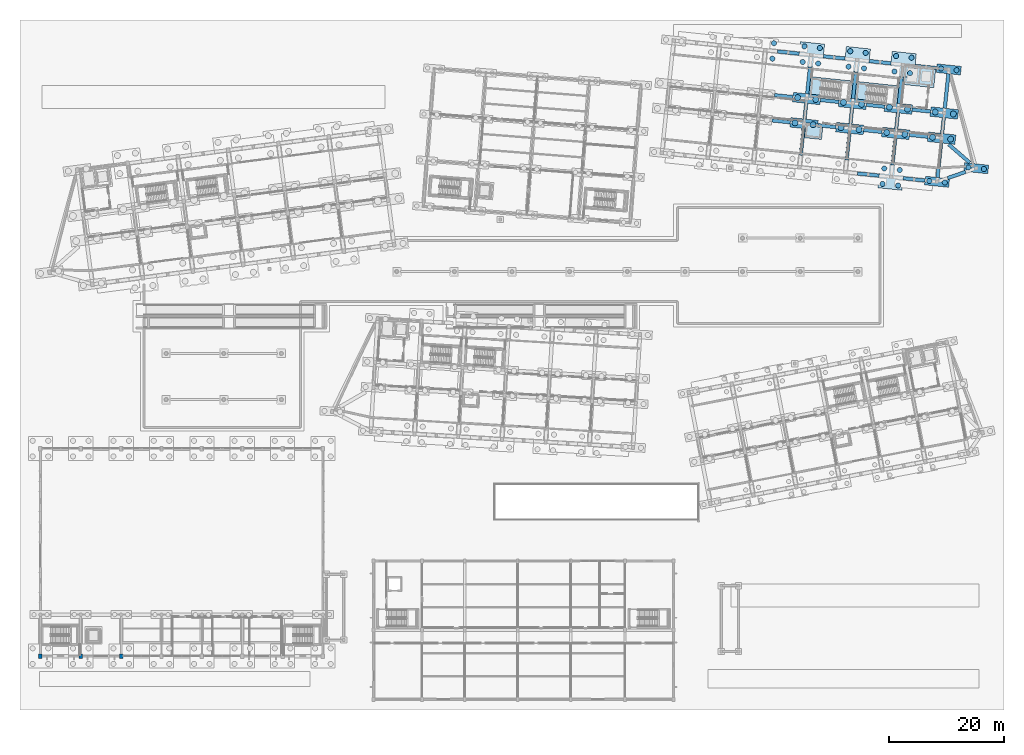
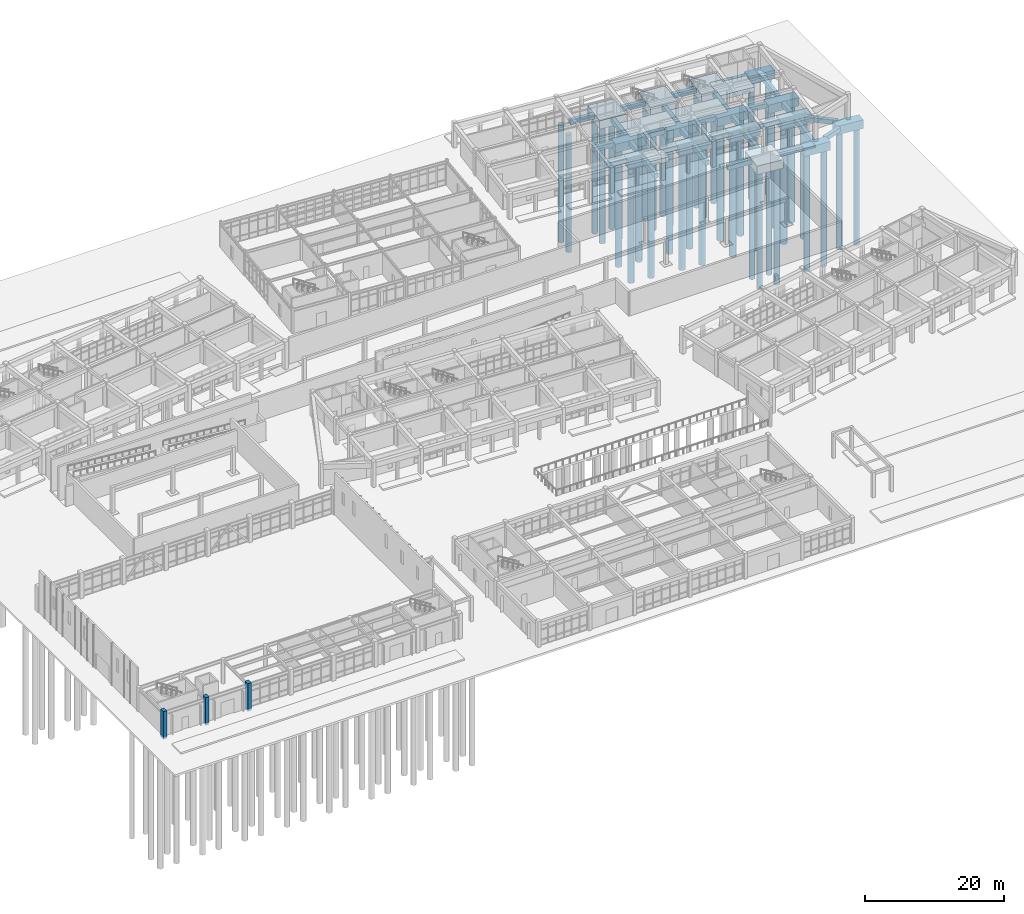
# One storey, part 6 of 154: 47 footings, 40 piles, 3 columns.
"""IFC4 building model written with IfcOpenShell, lengths in metres."""

from ifc_helpers import new_model, si_unit, direction, frame, origin, origin_2d, place, context, subcontext, project, spatial, rectangle, circle, extrude, material, material_profile, profile_set, type_object, element, save


model = new_model("IFC4")

# Units and contexts
model_context = context("Model", 3, precision=1e-05, world=origin(), true_north=direction((0.0, 1.0)))
body_context = subcontext(model_context, "Body", "Model", "MODEL_VIEW")
ifc_project = project(units=[si_unit("LENGTHUNIT", "METRE"), si_unit("AREAUNIT", "SQUARE_METRE"), si_unit("VOLUMEUNIT", "CUBIC_METRE"), si_unit("PLANEANGLEUNIT", "RADIAN"), si_unit("MASSUNIT", "GRAM", prefix="KILO")], contexts=[model_context])

# Site, building, storey
site_placement = place(None, origin())
site = spatial("IfcSite", under=ifc_project, at=site_placement, CompositionType="ELEMENT")
building_placement = place(site_placement, origin())
building = spatial("IfcBuilding", under=site, at=building_placement, Name="Kestramere Prow Commons", CompositionType="ELEMENT")
storey_placement = place(building_placement, origin())
storey = spatial("IfcBuildingStorey", under=building, at=storey_placement, Name="L00", CompositionType="ELEMENT", Elevation=0.0)

# Piles
ifc_material_1 = material(Name="Concrete C35/45", Category="concrete")
ifc_material_profile_1 = material_profile(ifc_material_1, circle(Radius=0.52490234375, at=origin_2d()), Name="BORED PILE D1050")
ifc_profile_set_1 = profile_set([ifc_material_profile_1], Name="Concrete C35/45")
pile_type_1 = type_object("IfcPileType", Name="BP-1050 BORED PILE D1050", PredefinedType="BORED", material=ifc_profile_set_1)
for number, where, z_axis, x_axis, name in (
    (1, (133.0966796875, 100.014404296875, -1.75), (0.0, 0.0, -1.0), (1.0, 0.0, 0.0), "Bored pile FC-B-3-1-P1"),
    (2, (136.229248046875, 99.68505859375, -1.75), (0.0, 0.0, -1.0), (1.0, 0.0, 0.0), "Bored pile FC-B-3-1-P2"),
    (3, (133.556396484375, 104.39013671875, -1.75), (0.0, 0.0, -1.0), (1.0, 0.0, 0.0), "Bored pile FC-B-3-2-P1"),
    (4, (136.689208984375, 104.06103515625, -1.75), (0.0, 0.0, -1.0), (1.0, 0.0, 0.0), "Bored pile FC-B-3-2-P2"),
    (5, (141.052734375, 99.177978515625, -1.75), (0.0, 0.0, -1.0), (1.0, 0.0, 0.0), "Bored pile FC-B-4-1-P1"),
    (6, (144.185546875, 98.848876953125, -1.75), (0.0, 0.0, -1.0), (1.0, 0.0, 0.0), "Bored pile FC-B-4-1-P2"),
    (7, (141.5126953125, 103.553955078125, -1.75), (0.0, 0.0, -1.0), (1.0, 0.0, 0.0), "Bored pile FC-B-4-2-P1"),
    (8, (144.6455078125, 103.224609375, -1.75), (0.0, 0.0, -1.0), (1.0, 0.0, 0.0), "Bored pile FC-B-4-2-P2"),
    (9, (149.009033203125, 98.341796875, -1.75), (0.0, 0.0, -1.0), (1.0, 0.0, 0.0), "Bored pile FC-B-5-1-P1"),
    (10, (152.1416015625, 98.0126953125, -1.75), (0.0, 0.0, -1.0), (1.0, 0.0, 0.0), "Bored pile FC-B-5-1-P2"),
    (11, (149.46875, 102.7177734375, -1.75), (0.0, 0.0, -1.0), (1.0, 0.0, 0.0), "Bored pile FC-B-5-2-P1"),
    (12, (152.6015625, 102.388427734375, -1.75), (0.0, 0.0, -1.0), (1.0, 0.0, 0.0), "Bored pile FC-B-5-2-P2"),
    (13, (156.965087890625, 97.505615234375, -1.75), (0.0, 0.0, -1.0), (1.0, 0.0, 0.0), "Bored pile FC-B-6-1-P1"),
    (14, (160.097900390625, 97.17626953125, -1.75), (0.0, 0.0, -1.0), (1.0, 0.0, 0.0), "Bored pile FC-B-6-1-P2"),
    (15, (157.425048828125, 101.881591796875, -1.75), (0.0, 0.0, -1.0), (1.0, 0.0, 0.0), "Bored pile FC-B-6-2-P1"),
    (16, (160.557861328125, 101.55224609375, -1.75), (0.0, 0.0, -1.0), (1.0, 0.0, 0.0), "Bored pile FC-B-6-2-P2"),
):
    element("IfcPile", number, at=place(storey_placement, frame(where, z_axis=z_axis, x_axis=x_axis)), inside=storey, type_object=pile_type_1, Name=name, PredefinedType="BORED", context=body_context, shape_type="SweptSolid", body=[
        extrude(circle(Radius=0.52490234375, at=origin_2d()), origin(), (0.0, 0.0, 1.0), 20.60009765625),
    ])
ifc_material_profile_2 = material_profile(ifc_material_1, circle(Radius=0.449951171875, at=origin_2d()), Name="BORED PILE D900")
ifc_profile_set_2 = profile_set([ifc_material_profile_2], Name="Concrete C35/45")
pile_type_2 = type_object("IfcPileType", Name="BP-900 BORED PILE D900", PredefinedType="BORED", material=ifc_profile_set_2)
for number, where, z_axis, x_axis, name in (
    (17, (129.16259765625, 111.136474609375, -1.75), (0.0, 0.0, -1.0), (1.0, 0.0, 0.0), "Bored pile FC-B-2-3-P2"),
    (18, (129.44482421875, 113.82177734375, -1.75), (0.0, 0.0, -1.0), (1.0, 0.0, 0.0), "Bored pile FC-B-2-3-P4"),
    (19, (134.43359375, 110.58251953125, -1.75), (0.0, 0.0, -1.0), (1.0, 0.0, 0.0), "Bored pile FC-B-3-3-P1"),
    (20, (137.118896484375, 110.30029296875, -1.75), (0.0, 0.0, -1.0), (1.0, 0.0, 0.0), "Bored pile FC-B-3-3-P2"),
    (21, (134.7158203125, 113.267578125, -1.75), (0.0, 0.0, -1.0), (1.0, 0.0, 0.0), "Bored pile FC-B-3-3-P3"),
    (22, (137.401123046875, 112.9853515625, -1.75), (0.0, 0.0, -1.0), (1.0, 0.0, 0.0), "Bored pile FC-B-3-3-P4"),
    (23, (142.3896484375, 109.746337890625, -1.75), (0.0, 0.0, -1.0), (1.0, 0.0, 0.0), "Bored pile FC-B-4-3-P1"),
    (24, (145.074951171875, 109.464111328125, -1.75), (0.0, 0.0, -1.0), (1.0, 0.0, 0.0), "Bored pile FC-B-4-3-P2"),
    (25, (142.671875, 112.431396484375, -1.75), (0.0, 0.0, -1.0), (1.0, 0.0, 0.0), "Bored pile FC-B-4-3-P3"),
    (26, (145.357177734375, 112.149169921875, -1.75), (0.0, 0.0, -1.0), (1.0, 0.0, 0.0), "Bored pile FC-B-4-3-P4"),
    (27, (148.297119140625, 89.41748046875, -1.75), (0.0, 0.0, -1.0), (1.0, 0.0, 0.0), "Bored pile FC-B-5-0-P1"),
    (28, (150.982421875, 89.13525390625, -1.75), (0.0, 0.0, -1.0), (1.0, 0.0, 0.0), "Bored pile FC-B-5-0-P2"),
    (29, (148.579345703125, 92.1025390625, -1.75), (0.0, 0.0, -1.0), (1.0, 0.0, 0.0), "Bored pile FC-B-5-0-P3"),
    (30, (151.2646484375, 91.8203125, -1.75), (0.0, 0.0, -1.0), (1.0, 0.0, 0.0), "Bored pile FC-B-5-0-P4"),
    (31, (150.345947265625, 108.909912109375, -1.75), (0.0, 0.0, -1.0), (1.0, 0.0, 0.0), "Bored pile FC-B-5-3-P1"),
    (32, (153.031005859375, 108.627685546875, -1.75), (0.0, 0.0, -1.0), (1.0, 0.0, 0.0), "Bored pile FC-B-5-3-P2"),
    (33, (150.628173828125, 111.59521484375, -1.75), (0.0, 0.0, -1.0), (1.0, 0.0, 0.0), "Bored pile FC-B-5-3-P3"),
    (34, (153.313232421875, 111.31298828125, -1.75), (0.0, 0.0, -1.0), (1.0, 0.0, 0.0), "Bored pile FC-B-5-3-P4"),
    (35, (156.39453125, 89.923828125, -1.75), (0.0, 0.0, -1.0), (1.0, 0.0, 0.0), "Bored pile FC-B-6-0-P1"),
    (36, (159.07958984375, 89.6416015625, -1.75), (0.0, 0.0, -1.0), (1.0, 0.0, 0.0), "Bored pile FC-B-6-0-P2"),
    (37, (158.443115234375, 109.416259765625, -1.75), (0.0, 0.0, -1.0), (1.0, 0.0, 0.0), "Bored pile FC-B-6-3-P1"),
    (38, (161.12841796875, 109.134033203125, -1.75), (0.0, 0.0, -1.0), (1.0, 0.0, 0.0), "Bored pile FC-B-6-3-P2"),
    (39, (163.177734375, 92.277587890625, -1.75), (0.0, 0.0, -1.0), (1.0, 0.0, 0.0), "Bored pile FC-B-PROW-P1"),
    (40, (165.86279296875, 91.995361328125, -1.75), (0.0, 0.0, -1.0), (1.0, 0.0, 0.0), "Bored pile FC-B-PROW-P2"),
):
    element("IfcPile", number, at=place(storey_placement, frame(where, z_axis=z_axis, x_axis=x_axis)), inside=storey, type_object=pile_type_2, Name=name, PredefinedType="BORED", context=body_context, shape_type="SweptSolid", body=[
        extrude(circle(Radius=0.449951171875, at=origin_2d()), origin(), (0.0, 0.0, 1.0), 20.60009765625),
    ])

# Footings
footing_type_1 = type_object("IfcFootingType", Name="FT-CORE-STRIP", PredefinedType="STRIP_FOOTING", material=ifc_material_1)
footing_1_placement = place(storey_placement, frame((154.56884765625, 108.189697265625, -1.14990234375), z_axis=(0.0, 0.0, 1.0), x_axis=(0.994521895368, -0.104528463268, 0.0)))
element("IfcFooting", 41, at=footing_1_placement, inside=storey, type_object=footing_type_1, Name="Block B Lift Core Mat Footing", PredefinedType="STRIP_FOOTING", context=body_context, shape_type="SweptSolid", body=[
    extrude(rectangle(XDim=5.60009765625, YDim=3.60009765625, at=origin_2d()), origin(), (0.0, 0.0, 1.0), 0.800048828125),
])
for number, where, z_axis, x_axis, name in (
    (42, (139.307373046875, 105.771728515625, -1.14990234375), (0.0, 0.0, 1.0), (0.994521895368, -0.104528463268, 0.0), "ST-B1 Stair Core Raft Footing"),
    (43, (147.263671875, 104.935302734375, -1.14990234375), (0.0, 0.0, 1.0), (0.994521895368, -0.104528463268, 0.0), "ST-B2 Stair Core Raft Footing"),
):
    element("IfcFooting", number, at=place(storey_placement, frame(where, z_axis=z_axis, x_axis=x_axis)), inside=storey, type_object=footing_type_1, Name=name, PredefinedType="STRIP_FOOTING", context=body_context, shape_type="SweptSolid", body=[
        extrude(rectangle(XDim=7.39990234375, YDim=3.75, at=origin_2d()), origin(), (0.0, 0.0, 1.0), 0.800048828125),
    ])
footing_2_placement = place(storey_placement, frame((136.288330078125, 98.57275390625, -1.14990234375), z_axis=(0.0, 0.0, 1.0), x_axis=(0.994521895368, -0.104528463268, 0.0)))
element("IfcFooting", 44, at=footing_2_placement, inside=storey, type_object=footing_type_1, Name="Block B Household Shelter Footing", PredefinedType="STRIP_FOOTING", context=body_context, shape_type="SweptSolid", body=[
    extrude(rectangle(XDim=3.10009765625, YDim=2.60009765625, at=origin_2d()), origin(), (0.0, 0.0, 1.0), 0.800048828125),
])
footing_type_2 = type_object("IfcFootingType", Name="GB-08 600x800 L3290", PredefinedType="FOOTING_BEAM", material=ifc_material_1)
footing_3_placement = place(storey_placement, frame((161.128662109375, 90.95947265625, -1.14990234375), z_axis=(0.0, 0.0, 1.0), x_axis=(-0.944735118347, -0.327834647593, 0.0)))
element("IfcFooting", 45, at=footing_3_placement, inside=storey, type_object=footing_type_2, Name="Foundation ground beam GBP-B-0", PredefinedType="FOOTING_BEAM", context=body_context, shape_type="SweptSolid", body=[
    extrude(rectangle(XDim=3.288818359375, YDim=0.60009765625, at=origin_2d()), origin(), (0.0, 0.0, 1.0), 0.800048828125),
])
footing_type_3 = type_object("IfcFootingType", Name="GB-09 600x800 L4830", PredefinedType="FOOTING_BEAM", material=ifc_material_1)
footing_4_placement = place(storey_placement, frame((161.5751953125, 94.69580078125, -1.14990234375), z_axis=(0.0, 0.0, 1.0), x_axis=(-0.754801175987, 0.655953645259, 0.0)))
element("IfcFooting", 46, at=footing_4_placement, inside=storey, type_object=footing_type_3, Name="Foundation ground beam GBP-B-1", PredefinedType="FOOTING_BEAM", context=body_context, shape_type="SweptSolid", body=[
    extrude(rectangle(XDim=4.827880859375, YDim=0.60009765625, at=origin_2d()), origin(), (0.0, 0.0, 1.0), 0.800048828125),
])
footing_type_4 = type_object("IfcFootingType", Name="GB-10 600x800 L3800", PredefinedType="FOOTING_BEAM", material=ifc_material_1)
for number, where, z_axis, x_axis, name in (
    (47, (131.939208984375, 112.2021484375, -1.14990234375), (0.0, 0.0, 1.0), (0.994521895368, -0.104528463268, 0.0), "Foundation ground beam GBU-B-2-3"),
    (48, (139.895263671875, 111.36572265625, -1.14990234375), (0.0, 0.0, 1.0), (0.994521895368, -0.104528463268, 0.0), "Foundation ground beam GBU-B-3-3"),
    (49, (145.802734375, 91.036865234375, -1.14990234375), (0.0, 0.0, 1.0), (0.994521895368, -0.104528463268, 0.0), "Foundation ground beam GBU-B-4-0"),
    (50, (147.8515625, 110.529541015625, -1.14990234375), (0.0, 0.0, 1.0), (0.994521895368, -0.104528463268, 0.0), "Foundation ground beam GBU-B-4-3"),
    (51, (153.759033203125, 90.20068359375, -1.14990234375), (0.0, 0.0, 1.0), (0.994521895368, -0.104528463268, 0.0), "Foundation ground beam GBU-B-5-0"),
    (52, (155.8076171875, 109.693359375, -1.14990234375), (0.0, 0.0, 1.0), (0.994521895368, -0.104528463268, 0.0), "Foundation ground beam GBU-B-5-3"),
):
    element("IfcFooting", number, at=place(storey_placement, frame(where, z_axis=z_axis, x_axis=x_axis)), inside=storey, type_object=footing_type_4, Name=name, PredefinedType="FOOTING_BEAM", context=body_context, shape_type="SweptSolid", body=[
        extrude(rectangle(XDim=3.800048828125, YDim=0.60009765625, at=origin_2d()), origin(), (0.0, 0.0, 1.0), 0.800048828125),
    ])
footing_type_5 = type_object("IfcFootingType", Name="GB-11 600x800 L3200", PredefinedType="FOOTING_BEAM", material=ifc_material_1)
for number, where, z_axis, x_axis, name in (
    (53, (130.684814453125, 100.267822265625, -1.14990234375), (0.0, 0.0, 1.0), (0.994521895368, -0.104528463268, 0.0), "Foundation ground beam GBU-B-2-1"),
    (54, (131.144775390625, 104.643798828125, -1.14990234375), (0.0, 0.0, 1.0), (0.994521895368, -0.104528463268, 0.0), "Foundation ground beam GBU-B-2-2"),
    (55, (138.64111328125, 99.431640625, -1.14990234375), (0.0, 0.0, 1.0), (0.994521895368, -0.104528463268, 0.0), "Foundation ground beam GBU-B-3-1"),
    (56, (139.10107421875, 103.807373046875, -1.14990234375), (0.0, 0.0, 1.0), (0.994521895368, -0.104528463268, 0.0), "Foundation ground beam GBU-B-3-2"),
    (57, (146.59716796875, 98.595458984375, -1.14990234375), (0.0, 0.0, 1.0), (0.994521895368, -0.104528463268, 0.0), "Foundation ground beam GBU-B-4-1"),
    (58, (147.05712890625, 102.97119140625, -1.14990234375), (0.0, 0.0, 1.0), (0.994521895368, -0.104528463268, 0.0), "Foundation ground beam GBU-B-4-2"),
    (59, (154.553466796875, 97.759033203125, -1.14990234375), (0.0, 0.0, 1.0), (0.994521895368, -0.104528463268, 0.0), "Foundation ground beam GBU-B-5-1"),
    (60, (155.01318359375, 102.135009765625, -1.14990234375), (0.0, 0.0, 1.0), (0.994521895368, -0.104528463268, 0.0), "Foundation ground beam GBU-B-5-2"),
):
    element("IfcFooting", number, at=place(storey_placement, frame(where, z_axis=z_axis, x_axis=x_axis)), inside=storey, type_object=footing_type_5, Name=name, PredefinedType="FOOTING_BEAM", context=body_context, shape_type="SweptSolid", body=[
        extrude(rectangle(XDim=3.199951171875, YDim=0.60009765625, at=origin_2d()), origin(), (0.0, 0.0, 1.0), 0.800048828125),
    ])
footing_type_6 = type_object("IfcFootingType", Name="GB-12 600x800 L6030", PredefinedType="FOOTING_BEAM", material=ifc_material_1)
for number, where, z_axis, x_axis, name in (
    (61, (158.13037109375, 93.5244140625, -1.14990234375), (0.0, 0.0, 1.0), (0.104528463268, 0.994521895368, 0.0), "Foundation ground beam GBV-B-6-0"),
    (62, (159.392578125, 105.533447265625, -1.14990234375), (0.0, 0.0, 1.0), (0.104528463268, 0.994521895368, 0.0), "Foundation ground beam GBV-B-6-2"),
):
    element("IfcFooting", number, at=place(storey_placement, frame(where, z_axis=z_axis, x_axis=x_axis)), inside=storey, type_object=footing_type_6, Name=name, PredefinedType="FOOTING_BEAM", context=body_context, shape_type="SweptSolid", body=[
        extrude(rectangle(XDim=6.02490234375, YDim=0.60009765625, at=origin_2d()), origin(), (0.0, 0.0, 1.0), 0.800048828125),
    ])
footing_type_7 = type_object("IfcFootingType", Name="GB-13 600x800 L2750", PredefinedType="FOOTING_BEAM", material=ifc_material_1)
for number, where, z_axis, x_axis, name in (
    (63, (134.892822265625, 102.03759765625, -1.14990234375), (0.0, 0.0, 1.0), (0.104528463268, 0.994521895368, 0.0), "Foundation ground beam GBV-B-3-1"),
    (64, (142.84912109375, 101.201416015625, -1.14990234375), (0.0, 0.0, 1.0), (0.104528463268, 0.994521895368, 0.0), "Foundation ground beam GBV-B-4-1"),
    (65, (150.80517578125, 100.365234375, -1.14990234375), (0.0, 0.0, 1.0), (0.104528463268, 0.994521895368, 0.0), "Foundation ground beam GBV-B-5-1"),
    (66, (158.761474609375, 99.529052734375, -1.14990234375), (0.0, 0.0, 1.0), (0.104528463268, 0.994521895368, 0.0), "Foundation ground beam GBV-B-6-1"),
):
    element("IfcFooting", number, at=place(storey_placement, frame(where, z_axis=z_axis, x_axis=x_axis)), inside=storey, type_object=footing_type_7, Name=name, PredefinedType="FOOTING_BEAM", context=body_context, shape_type="SweptSolid", body=[
        extrude(rectangle(XDim=2.75, YDim=0.60009765625, at=origin_2d()), origin(), (0.0, 0.0, 1.0), 0.800048828125),
    ])
footing_type_8 = type_object("IfcFootingType", Name="GB-14 600x800 L4670", PredefinedType="FOOTING_BEAM", material=ifc_material_1)
for number, where, z_axis, x_axis, name in (
    (67, (134.332275390625, 96.70458984375, -1.14990234375), (0.0, 0.0, 1.0), (0.104528463268, 0.994521895368, 0.0), "Foundation ground beam GBV-B-3-0"),
    (68, (135.453369140625, 107.370849609375, -1.14990234375), (0.0, 0.0, 1.0), (0.104528463268, 0.994521895368, 0.0), "Foundation ground beam GBV-B-3-2"),
    (69, (142.28857421875, 95.8681640625, -1.14990234375), (0.0, 0.0, 1.0), (0.104528463268, 0.994521895368, 0.0), "Foundation ground beam GBV-B-4-0"),
    (70, (143.40966796875, 106.534423828125, -1.14990234375), (0.0, 0.0, 1.0), (0.104528463268, 0.994521895368, 0.0), "Foundation ground beam GBV-B-4-2"),
    (71, (150.24462890625, 95.031982421875, -1.14990234375), (0.0, 0.0, 1.0), (0.104528463268, 0.994521895368, 0.0), "Foundation ground beam GBV-B-5-0"),
    (72, (151.36572265625, 105.6982421875, -1.14990234375), (0.0, 0.0, 1.0), (0.104528463268, 0.994521895368, 0.0), "Foundation ground beam GBV-B-5-2"),
):
    element("IfcFooting", number, at=place(storey_placement, frame(where, z_axis=z_axis, x_axis=x_axis)), inside=storey, type_object=footing_type_8, Name=name, PredefinedType="FOOTING_BEAM", context=body_context, shape_type="SweptSolid", body=[
        extrude(rectangle(XDim=4.675048828125, YDim=0.60009765625, at=origin_2d()), origin(), (0.0, 0.0, 1.0), 0.800048828125),
    ])
footing_type_9 = type_object("IfcFootingType", Name="PC-04 4200x1500x1500", PredefinedType="PILE_CAP", material=ifc_material_1)
for number, where, z_axis, x_axis, name in (
    (73, (157.737060546875, 89.78271484375, -1.85009765625), (0.0, 0.0, 1.0), (0.994521895368, -0.104528463268, 0.0), "Pile cap FC-B-6-0"),
    (74, (159.785888671875, 109.275146484375, -1.85009765625), (0.0, 0.0, 1.0), (0.994521895368, -0.104528463268, 0.0), "Pile cap FC-B-6-3"),
    (75, (164.520263671875, 92.136474609375, -1.85009765625), (0.0, 0.0, 1.0), (0.994521895368, -0.104528463268, 0.0), "Pile cap FC-B-PROW"),
):
    element("IfcFooting", number, at=place(storey_placement, frame(where, z_axis=z_axis, x_axis=x_axis)), inside=storey, type_object=footing_type_9, Name=name, PredefinedType="PILE_CAP", context=body_context, shape_type="SweptSolid", body=[
        extrude(rectangle(XDim=4.199951171875, YDim=1.5, at=origin_2d()), origin(), (0.0, 0.0, 1.0), 1.5),
    ])
footing_type_10 = type_object("IfcFootingType", Name="PC-05 4800x1650x1500", PredefinedType="PILE_CAP", material=ifc_material_1)
for number, where, z_axis, x_axis, name in (
    (76, (134.662841796875, 99.849609375, -1.85009765625), (0.0, 0.0, 1.0), (0.994521895368, -0.104528463268, 0.0), "Pile cap FC-B-3-1"),
    (77, (135.122802734375, 104.2255859375, -1.85009765625), (0.0, 0.0, 1.0), (0.994521895368, -0.104528463268, 0.0), "Pile cap FC-B-3-2"),
    (78, (142.619140625, 99.013427734375, -1.85009765625), (0.0, 0.0, 1.0), (0.994521895368, -0.104528463268, 0.0), "Pile cap FC-B-4-1"),
    (79, (143.0791015625, 103.389404296875, -1.85009765625), (0.0, 0.0, 1.0), (0.994521895368, -0.104528463268, 0.0), "Pile cap FC-B-4-2"),
    (80, (150.5751953125, 98.17724609375, -1.85009765625), (0.0, 0.0, 1.0), (0.994521895368, -0.104528463268, 0.0), "Pile cap FC-B-5-1"),
    (81, (151.03515625, 102.55322265625, -1.85009765625), (0.0, 0.0, 1.0), (0.994521895368, -0.104528463268, 0.0), "Pile cap FC-B-5-2"),
    (82, (158.531494140625, 97.341064453125, -1.85009765625), (0.0, 0.0, 1.0), (0.994521895368, -0.104528463268, 0.0), "Pile cap FC-B-6-1"),
    (83, (158.991455078125, 101.716796875, -1.85009765625), (0.0, 0.0, 1.0), (0.994521895368, -0.104528463268, 0.0), "Pile cap FC-B-6-2"),
):
    element("IfcFooting", number, at=place(storey_placement, frame(where, z_axis=z_axis, x_axis=x_axis)), inside=storey, type_object=footing_type_10, Name=name, PredefinedType="PILE_CAP", context=body_context, shape_type="SweptSolid", body=[
        extrude(rectangle(XDim=4.800048828125, YDim=1.64990234375, at=origin_2d()), origin(), (0.0, 0.0, 1.0), 1.5),
    ])
footing_type_11 = type_object("IfcFootingType", Name="PC-06 4200x4200x1500", PredefinedType="PILE_CAP", material=ifc_material_1)
for number, where, z_axis, x_axis, name in (
    (84, (135.917236328125, 111.783935546875, -1.85009765625), (0.0, 0.0, 1.0), (0.994521895368, -0.104528463268, 0.0), "Pile cap FC-B-3-3"),
    (85, (143.87353515625, 110.94775390625, -1.85009765625), (0.0, 0.0, 1.0), (0.994521895368, -0.104528463268, 0.0), "Pile cap FC-B-4-3"),
    (86, (149.78076171875, 90.618896484375, -1.85009765625), (0.0, 0.0, 1.0), (0.994521895368, -0.104528463268, 0.0), "Pile cap FC-B-5-0"),
    (87, (151.82958984375, 110.111572265625, -1.85009765625), (0.0, 0.0, 1.0), (0.994521895368, -0.104528463268, 0.0), "Pile cap FC-B-5-3"),
):
    element("IfcFooting", number, at=place(storey_placement, frame(where, z_axis=z_axis, x_axis=x_axis)), inside=storey, type_object=footing_type_11, Name=name, PredefinedType="PILE_CAP", context=body_context, shape_type="SweptSolid", body=[
        extrude(rectangle(XDim=4.199951171875, YDim=4.199951171875, at=origin_2d()), origin(), (0.0, 0.0, 1.0), 1.5),
    ])

# Columns
ifc_material_2 = material(Name="Precast concrete C40/50", Category="concrete")
ifc_material_profile_3 = material_profile(ifc_material_2, rectangle(XDim=0.60009765625, YDim=0.800048828125, at=origin_2d()), Name="PC-COL 600x800")
ifc_profile_set_3 = profile_set([ifc_material_profile_3], Name="Precast concrete C40/50")
column_type = type_object("IfcColumnType", Name="C-HL1 PC-COL 600x800", PredefinedType="COLUMN", material=ifc_profile_set_3)
for number, where, z_axis, x_axis, name in (
    (88, (2.199951171875, 7.5, -0.35009765625), (0.0, 0.0, 1.0), (1.0, 0.0, 0.0), "Community Hall L00 Perimeter Column 1-0"),
    (89, (9.199951171875, 7.5, -0.35009765625), (0.0, 0.0, 1.0), (1.0, 0.0, 0.0), "Community Hall L00 Perimeter Column 2-0"),
    (90, (16.199951171875, 7.5, -0.35009765625), (0.0, 0.0, 1.0), (1.0, 0.0, 0.0), "Community Hall L00 Perimeter Column 3-0"),
):
    element("IfcColumn", number, at=place(storey_placement, frame(where, z_axis=z_axis, x_axis=x_axis)), inside=storey, type_object=column_type, Name=name, PredefinedType="COLUMN", context=body_context, shape_type="SweptSolid", body=[
        extrude(rectangle(XDim=0.60009765625, YDim=0.800048828125, at=origin_2d()), origin(), (0.0, 0.0, 1.0), 4.85009765625),
    ])

save(model, "model.ifc")
